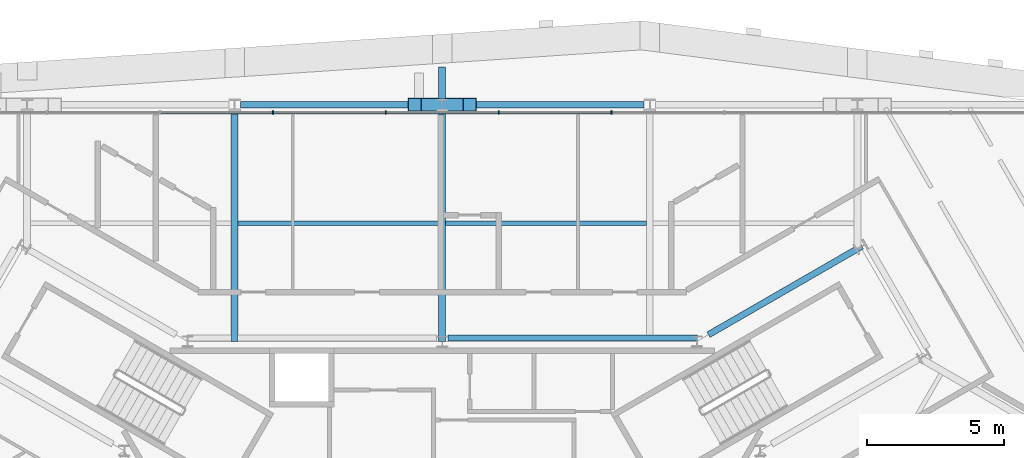
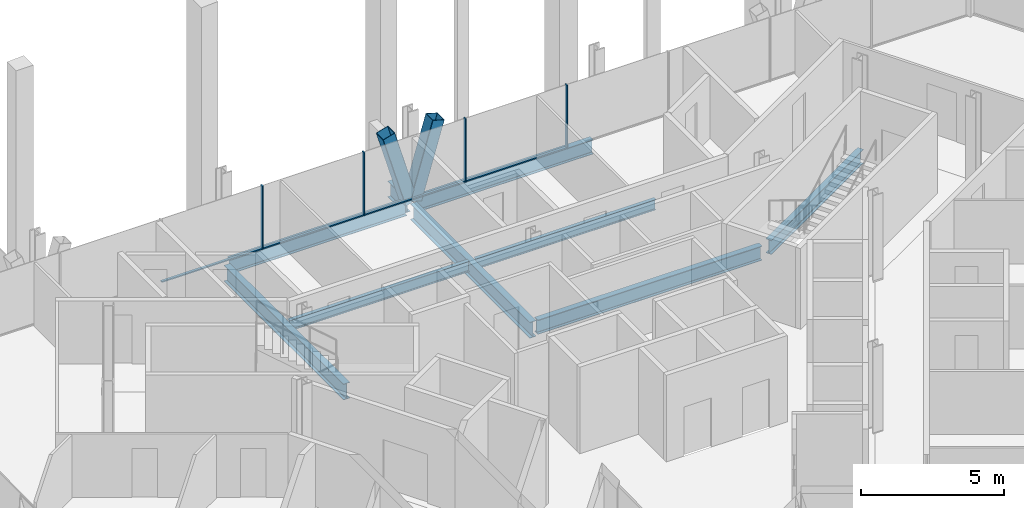
# One storey, part 6 of 14: 10 members, 9 beams, 1 element without a shape of its own.
"""IFC4 building model written with IfcOpenShell, lengths in metres."""

from ifc_helpers import new_model, si_unit, direction, frame, origin, origin_2d, place, context, subcontext, project, spatial, rectangle, hollow_rectangle, i_section, extrude, material, material_profile, profile_set, type_object, element, aggregate, save


model = new_model("IFC4")

# Units and contexts
model_context = context("Model", 3, precision=1e-05, world=origin(), true_north=direction((0.0, 1.0)))
body_context = subcontext(model_context, "Body", "Model", "MODEL_VIEW")
ifc_project = project(units=[si_unit("LENGTHUNIT", "METRE"), si_unit("AREAUNIT", "SQUARE_METRE"), si_unit("VOLUMEUNIT", "CUBIC_METRE"), si_unit("PLANEANGLEUNIT", "RADIAN"), si_unit("MASSUNIT", "GRAM", prefix="KILO")], contexts=[model_context])

# Site, building, storey
site_placement = place(None, origin())
site = spatial("IfcSite", under=ifc_project, at=site_placement, CompositionType="ELEMENT")
building_placement = place(site_placement, origin())
building = spatial("IfcBuilding", under=site, at=building_placement, Name="Verrane Prism Tower", CompositionType="ELEMENT")
storey_placement = place(building_placement, frame((0.0, 0.0, 148.800048828125)))
storey = spatial("IfcBuildingStorey", under=building, at=storey_placement, Name="L36", CompositionType="ELEMENT", Elevation=148.800048828125)

# Beams
ifc_material_1 = material(Name="Steel A992", Category="steel")
ifc_material_profile_1 = material_profile(ifc_material_1, i_section(OverallWidth=0.23046875, OverallDepth=0.6171875, WebThickness=0.01318359375, FlangeThickness=0.022216796875, FilletRadius=0.012939453125, at=origin_2d()), Name="W24x94")
ifc_profile_set_1 = profile_set([ifc_material_profile_1], Name="Steel A992")
beam_type_1 = type_object("IfcBeamType", Name="Core ring girder W24x94", PredefinedType="BEAM", material=ifc_profile_set_1)
beam_1_placement = place(storey_placement, frame((15.26611328125, 11.466552734375, -0.55859375), z_axis=(-0.866138896394, -0.499803373492, 0.0), x_axis=(0.499803373492, -0.866138896394, 0.0)))
element("IfcBeam", 1, at=beam_1_placement, inside=storey, type_object=beam_type_1, Name="Core ring girder L36", PredefinedType="BEAM", context=body_context, shape_type="SweptSolid", body=[
    extrude(i_section(OverallWidth=0.23046875, OverallDepth=0.6171875, WebThickness=0.01318359375, FlangeThickness=0.022216796875, FilletRadius=0.012939453125, at=origin_2d()), origin(), (0.0, 0.0, 1.0), 6.4423828125),
])
beam_2_placement = place(storey_placement, frame((9.284912109375, 8.130615234375, -0.55859375), z_axis=(-1.0, 0.0, 0.0), x_axis=(0.0, -1.0, 0.0)))
element("IfcBeam", 2, at=beam_2_placement, inside=storey, type_object=beam_type_1, Name="Core ring girder L36", PredefinedType="BEAM", context=body_context, shape_type="SweptSolid", body=[
    extrude(i_section(OverallWidth=0.23046875, OverallDepth=0.6171875, WebThickness=0.01318359375, FlangeThickness=0.022216796875, FilletRadius=0.012939453125, at=origin_2d()), origin(), (0.0, 0.0, 1.0), 9.084228515625),
])

# Members
ifc_material_2 = material(Name="Steel A500 Grade C", Category="steel")
ifc_material_profile_2 = material_profile(ifc_material_2, hollow_rectangle(XDim=0.508056640625, YDim=0.508056640625, WallThickness=0.01904296875, InnerFilletRadius=0.009521484375, OuterFilletRadius=0.028564453125, at=origin_2d()), Name="HSS20x20x3/4")
ifc_profile_set_2 = profile_set([ifc_material_profile_2], Name="Steel A500 Grade C")
member_type_1 = type_object("IfcMemberType", Name="Facade brace HSS20x20x3/4", PredefinedType="BRACE", material=ifc_profile_set_2)
for number, where, z_axis, x_axis, name in (
    (3, (0.08642578125, 16.610107421875, -0.171630859375), (0.279894318301, 0.0, 0.960030817517), (0.0, 1.0, 0.0), "Facade brace N2 L36"),
    (4, (-0.08642578125, 16.610107421875, -0.171630859375), (-0.279894318301, 0.0, 0.960030817517), (0.0, -1.0, 0.0), "Facade brace N3 L36"),
):
    element("IfcMember", number, at=place(storey_placement, frame(where, z_axis=z_axis, x_axis=x_axis)), inside=storey, type_object=member_type_1, Name=name, PredefinedType="BRACE", context=body_context, shape_type="SweptSolid", body=[
        extrude(hollow_rectangle(XDim=0.508056640625, YDim=0.508056640625, WallThickness=0.01904296875, InnerFilletRadius=0.009521484375, OuterFilletRadius=0.028564453125, at=origin_2d()), origin(), (0.0, 0.0, 1.0), 3.2822265625),
    ])

# Beams
ifc_material_3 = material(Name="Steel A992", Category="steel")
ifc_material_profile_3 = material_profile(ifc_material_3, i_section(OverallWidth=0.15234375, OverallDepth=0.449462890625, WebThickness=0.007568359375, FlangeThickness=0.0107421875, FilletRadius=0.01025390625, at=origin_2d()), Name="W18x35")
ifc_profile_set_3 = profile_set([ifc_material_profile_3], Name="Steel A992")
beam_type_2 = type_object("IfcBeamType", Name="Floor beam W18x35", PredefinedType="BEAM", material=ifc_profile_set_3)
for number, where, z_axis, x_axis, name in (
    (5, (0.126953125, 12.304931640625, -0.384765625), (1.0, 0.0, 0.0), (0.0, 1.0, 0.0), "Floor beam L36"),
    (6, (-7.423095703125, 12.304931640625, -0.384765625), (1.0, 0.0, 0.0), (0.0, 1.0, 0.0), "Floor beam L36"),
):
    element("IfcBeam", number, at=place(storey_placement, frame(where, z_axis=z_axis, x_axis=x_axis)), inside=storey, type_object=beam_type_2, Name=name, PredefinedType="BEAM", context=body_context, shape_type="SweptSolid", body=[
        extrude(i_section(OverallWidth=0.15234375, OverallDepth=0.449462890625, WebThickness=0.007568359375, FlangeThickness=0.0107421875, FilletRadius=0.01025390625, at=origin_2d()), origin(), (0.0, 0.0, 1.0), 7.296142578125),
    ])

# Curtain wall, members
ifc_material_4 = material(Name="Aluminium framed insulated glazing", Category="aluminium")
curtain_wall_type = type_object("IfcCurtainWallType", Name="Curtain wall CW-C 4200 module", PredefinedType="NOTDEFINED", material=ifc_material_4)
curtain_wall_placement = place(storey_placement, origin())
curtain_wall = element("IfcCurtainWall", 7, at=curtain_wall_placement, inside=storey, type_object=curtain_wall_type, Name="Glazed curtain wall north face L36", PredefinedType="NOTDEFINED")
ifc_material_5 = material(Name="Aluminium alloy 6063-T6", Category="aluminium")
ifc_material_profile_4 = material_profile(ifc_material_5, rectangle(XDim=0.139892578125, YDim=0.050048828125, at=origin_2d()), Name="Mullion 50x140 aluminium")
ifc_profile_set_4 = profile_set([ifc_material_profile_4], Name="Aluminium alloy 6063-T6")
member_type_2 = type_object("IfcMemberType", Name="Mullion 50x140 aluminium", PredefinedType="MULLION", material=ifc_profile_set_4)
member_1_placement = place(storey_placement, frame((6.16357421875, 16.3310546875, 0.0), z_axis=(0.0, 0.0, 1.0), x_axis=(0.0, -1.0, 0.0)))
member_1 = element("IfcMember", 8, at=member_1_placement, type_object=member_type_2, Name="CW36.2 mullion 5", PredefinedType="MULLION", context=body_context, shape_type="SweptSolid", body=[
    extrude(rectangle(XDim=0.139892578125, YDim=0.050048828125, at=origin_2d()), origin(), (0.0, 0.0, 1.0), 2.712890625),
])
member_2_placement = place(storey_placement, frame((2.054443359375, 16.3310546875, 0.0), z_axis=(0.0, 0.0, 1.0), x_axis=(0.0, -1.0, 0.0)))
member_2 = element("IfcMember", 9, at=member_2_placement, type_object=member_type_2, Name="CW36.2 mullion 6", PredefinedType="MULLION", context=body_context, shape_type="SweptSolid", body=[
    extrude(rectangle(XDim=0.139892578125, YDim=0.050048828125, at=origin_2d()), origin(), (0.0, 0.0, 1.0), 2.712890625),
])
member_3_placement = place(storey_placement, frame((-2.054443359375, 16.3310546875, 0.0), z_axis=(0.0, 0.0, 1.0), x_axis=(0.0, -1.0, 0.0)))
member_3 = element("IfcMember", 10, at=member_3_placement, type_object=member_type_2, Name="CW36.2 mullion 7", PredefinedType="MULLION", context=body_context, shape_type="SweptSolid", body=[
    extrude(rectangle(XDim=0.139892578125, YDim=0.050048828125, at=origin_2d()), origin(), (0.0, 0.0, 1.0), 2.712890625),
])
member_4_placement = place(storey_placement, frame((-6.16357421875, 16.3310546875, 0.0), z_axis=(0.0, 0.0, 1.0), x_axis=(0.0, -1.0, 0.0)))
member_4 = element("IfcMember", 11, at=member_4_placement, type_object=member_type_2, Name="CW36.2 mullion 8", PredefinedType="MULLION", context=body_context, shape_type="SweptSolid", body=[
    extrude(rectangle(XDim=0.139892578125, YDim=0.050048828125, at=origin_2d()), origin(), (0.0, 0.0, 1.0), 2.712890625),
])

# Beams
ifc_material_6 = material(Name="Steel A992", Category="steel")
ifc_material_profile_5 = material_profile(ifc_material_6, i_section(OverallWidth=0.25390625, OverallDepth=0.683349609375, WebThickness=0.012451171875, FlangeThickness=0.01904296875, FilletRadius=0.01513671875, at=origin_2d()), Name="W27x94")
ifc_profile_set_5 = profile_set([ifc_material_profile_5], Name="Steel A992")
beam_type_3 = type_object("IfcBeamType", Name="Radial girder W27x94", PredefinedType="BEAM", material=ifc_profile_set_5)
for number, where, z_axis, x_axis, name in (
    (12, (0.0, 16.392822265625, -0.561767578125), (0.0, -1.0, 0.0), (1.0, 0.0, 0.0), "Radial girder L36"),
    (13, (-7.550048828125, 16.392822265625, -0.561767578125), (0.0, -1.0, 0.0), (1.0, 0.0, 0.0), "Radial girder L36"),
):
    element("IfcBeam", number, at=place(storey_placement, frame(where, z_axis=z_axis, x_axis=x_axis)), inside=storey, type_object=beam_type_3, Name=name, PredefinedType="BEAM", context=body_context, shape_type="SweptSolid", body=[
        extrude(i_section(OverallWidth=0.25390625, OverallDepth=0.683349609375, WebThickness=0.012451171875, FlangeThickness=0.01904296875, FilletRadius=0.01513671875, at=origin_2d()), origin(), (0.0, 0.0, 1.0), 8.392822265625),
    ])
beam_3_placement = place(storey_placement, frame((0.0, 16.8232421875, -0.561767578125), z_axis=(0.0, 1.0, 0.0), x_axis=(-1.0, 0.0, 0.0)))
element("IfcBeam", 14, at=beam_3_placement, inside=storey, type_object=beam_type_3, Name="Cantilever girder L36", PredefinedType="BEAM", context=body_context, shape_type="SweptSolid", body=[
    extrude(i_section(OverallWidth=0.25390625, OverallDepth=0.683349609375, WebThickness=0.012451171875, FlangeThickness=0.01904296875, FilletRadius=0.01513671875, at=origin_2d()), origin(), (0.0, 0.0, 1.0), 1.166748046875),
])
ifc_material_7 = material(Name="Steel A992", Category="steel")
ifc_material_profile_6 = material_profile(ifc_material_7, i_section(OverallWidth=0.23046875, OverallDepth=0.6171875, WebThickness=0.01318359375, FlangeThickness=0.022216796875, FilletRadius=0.012939453125, at=origin_2d()), Name="W24x94")
ifc_profile_set_6 = profile_set([ifc_material_profile_6], Name="Steel A992")
beam_type_4 = type_object("IfcBeamType", Name="Spandrel beam W24x94", PredefinedType="SPANDREL", material=ifc_profile_set_6)
for number, where, z_axis, x_axis, name in (
    (15, (7.34423828125, 16.610107421875, -0.46875), (-1.0, 0.0, 0.0), (0.0, -1.0, 0.0), "Spandrel beam L36"),
    (16, (-0.205810546875, 16.610107421875, -0.46875), (-1.0, 0.0, 0.0), (0.0, -1.0, 0.0), "Spandrel beam L36"),
):
    element("IfcBeam", number, at=place(storey_placement, frame(where, z_axis=z_axis, x_axis=x_axis)), inside=storey, type_object=beam_type_4, Name=name, PredefinedType="SPANDREL", context=body_context, shape_type="SweptSolid", body=[
        extrude(i_section(OverallWidth=0.23046875, OverallDepth=0.6171875, WebThickness=0.01318359375, FlangeThickness=0.022216796875, FilletRadius=0.012939453125, at=origin_2d()), origin(), (0.0, 0.0, 1.0), 7.138427734375),
    ])

# Member
ifc_material_8 = material(Name="Aluminium alloy 6063-T6", Category="aluminium")
ifc_material_profile_7 = material_profile(ifc_material_8, rectangle(XDim=0.10009765625, YDim=0.050048828125, at=origin_2d()), Name="Transom 50x100 aluminium")
ifc_profile_set_7 = profile_set([ifc_material_profile_7], Name="Aluminium alloy 6063-T6")
member_type_3 = type_object("IfcMemberType", Name="Transom 50x100 aluminium", PredefinedType="USERDEFINED", material=ifc_profile_set_7)
member_5_placement = place(storey_placement, frame((6.138427734375, 16.3310546875, 0.02490234375), z_axis=(-1.0, 0.0, 0.0), x_axis=(0.0, -1.0, 0.0)))
member_5 = element("IfcMember", 17, at=member_5_placement, type_object=member_type_3, Name="CW36.2 transom 5", ObjectType="TRANSOM", PredefinedType="USERDEFINED", context=body_context, shape_type="SweptSolid", body=[
    extrude(rectangle(XDim=0.10009765625, YDim=0.050048828125, at=origin_2d()), origin(), (0.0, 0.0, 1.0), 4.058837890625),
])

member_6_placement = place(storey_placement, frame((2.029541015625, 16.3310546875, 0.02490234375), z_axis=(-1.0, 0.0, 0.0), x_axis=(0.0, -1.0, 0.0)))
member_6 = element("IfcMember", 18, at=member_6_placement, type_object=member_type_3, Name="CW36.2 transom 6", ObjectType="TRANSOM", PredefinedType="USERDEFINED", context=body_context, shape_type="SweptSolid", body=[
    extrude(rectangle(XDim=0.10009765625, YDim=0.050048828125, at=origin_2d()), origin(), (0.0, 0.0, 1.0), 4.05908203125),
])

member_7_placement = place(storey_placement, frame((-2.07958984375, 16.3310546875, 0.02490234375), z_axis=(-1.0, 0.0, 0.0), x_axis=(0.0, -1.0, 0.0)))
member_7 = element("IfcMember", 19, at=member_7_placement, type_object=member_type_3, Name="CW36.2 transom 7", ObjectType="TRANSOM", PredefinedType="USERDEFINED", context=body_context, shape_type="SweptSolid", body=[
    extrude(rectangle(XDim=0.10009765625, YDim=0.050048828125, at=origin_2d()), origin(), (0.0, 0.0, 1.0), 4.058837890625),
])

member_8_placement = place(storey_placement, frame((-6.1884765625, 16.3310546875, 0.02490234375), z_axis=(-1.0, 0.0, 0.0), x_axis=(0.0, -1.0, 0.0)))
member_8 = element("IfcMember", 20, at=member_8_placement, type_object=member_type_3, Name="CW36.2 transom 8", ObjectType="TRANSOM", PredefinedType="USERDEFINED", context=body_context, shape_type="SweptSolid", body=[
    extrude(rectangle(XDim=0.10009765625, YDim=0.050048828125, at=origin_2d()), origin(), (0.0, 0.0, 1.0), 4.05908203125),
])

aggregate(curtain_wall, [member_1, member_2, member_3, member_4, member_5, member_6, member_7, member_8])

save(model, "model.ifc")
